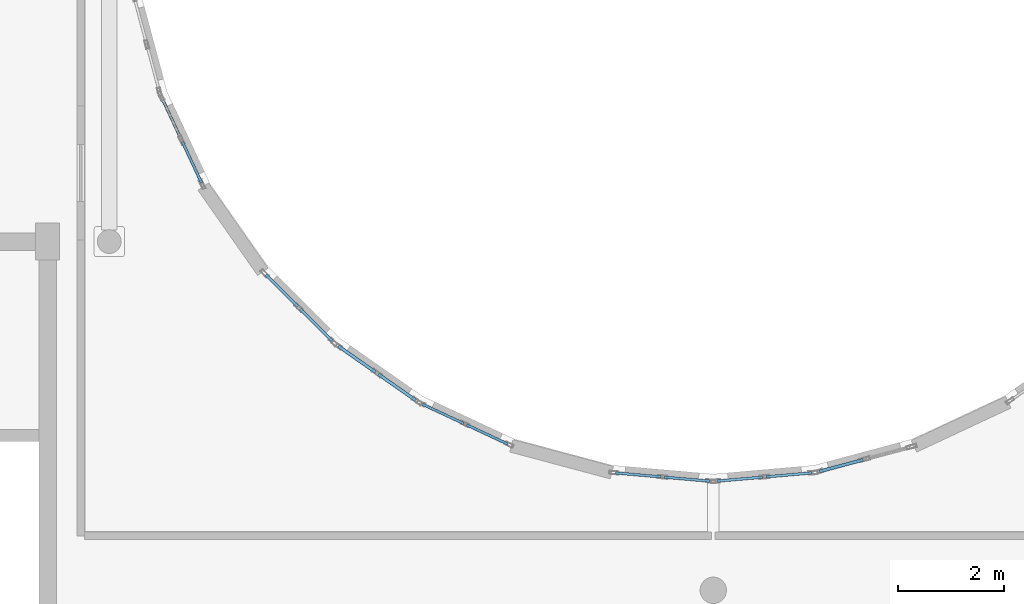
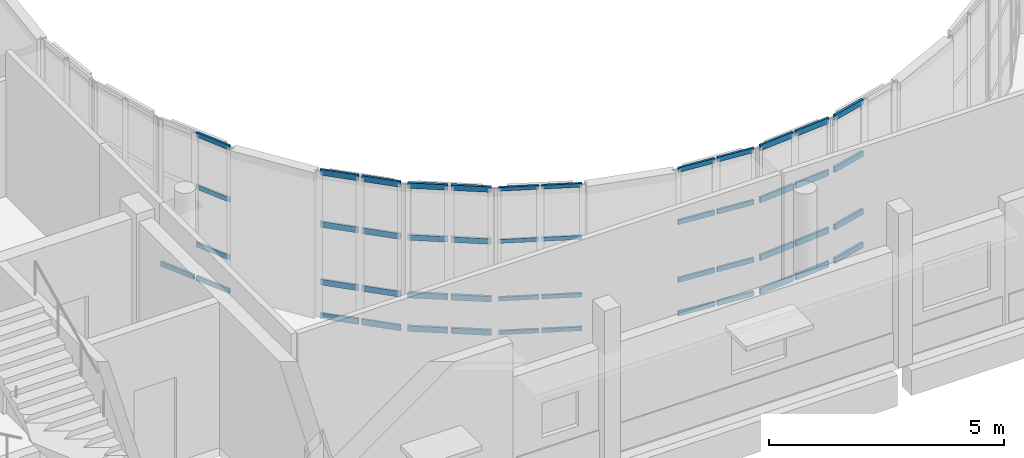
# One storey, part 45 of 92: 49 members, 7 elements without a shape of their own.
"""IFC4 building model written with IfcOpenShell, lengths in metres."""

from ifc_helpers import new_model, si_unit, direction, frame, origin, origin_2d, place, context, subcontext, project, spatial, hollow_rectangle, extrude, material, layer, layer_set, material_profile, profile_set, type_object, element, aggregate, save


model = new_model("IFC4")

# Units and contexts
model_context = context("Model", 3, precision=1e-05, world=origin(), true_north=direction((0.0, 1.0)))
body_context = subcontext(model_context, "Body", "Model", "MODEL_VIEW")
ifc_project = project(units=[si_unit("LENGTHUNIT", "METRE"), si_unit("AREAUNIT", "SQUARE_METRE"), si_unit("VOLUMEUNIT", "CUBIC_METRE"), si_unit("PLANEANGLEUNIT", "RADIAN"), si_unit("MASSUNIT", "GRAM", prefix="KILO")], contexts=[model_context])

# Site, building, storey
site_placement = place(None, origin())
site = spatial("IfcSite", under=ifc_project, at=site_placement, CompositionType="ELEMENT")
building_placement = place(site_placement, origin())
building = spatial("IfcBuilding", under=site, at=building_placement, Name="Kelanivale Promenade Academy", CompositionType="ELEMENT")
storey_placement = place(building_placement, frame((0.0, 0.0, 8.199951171875)))
storey = spatial("IfcBuildingStorey", under=building, at=storey_placement, Name="L02", CompositionType="ELEMENT", Elevation=8.199951171875)

# Curtain wall, members
ifc_material_1 = material(Name="Bronze anodised aluminium and solar-control low-E glass", Category="aluminium")
ifc_layer_1 = layer(ifc_material_1, 0.169921875)
ifc_layer_set_1 = layer_set([ifc_layer_1], Name="Bronze anodised aluminium and solar-control low-E glass")
curtain_wall_type_1 = type_object("IfcCurtainWallType", Name="CW-01 Curtain Wall 1350mm Module", PredefinedType="USERDEFINED", material=ifc_layer_set_1)
curtain_wall_1_placement = place(storey_placement, origin())
curtain_wall_1 = element("IfcCurtainWall", 1, at=curtain_wall_1_placement, inside=storey, type_object=curtain_wall_type_1, Name="L02 courtyard curtain wall CW-01", ObjectType="UNITISED GLAZING", PredefinedType="USERDEFINED")
ifc_material_2 = material(Name="Bronze anodised aluminium EN AW-6063 T6", Category="aluminium")
ifc_material_profile_1 = material_profile(ifc_material_2, hollow_rectangle(XDim=0.050048828125, YDim=0.10009765625, WallThickness=0.0029296875, at=origin_2d()), Name="ALU 50x100x3.0")
ifc_profile_set_1 = profile_set([ifc_material_profile_1], Name="Bronze anodised aluminium EN AW-6063 T6")
member_type_1 = type_object("IfcMemberType", Name="CWT-01 ALU 50x100x3.0", PredefinedType="USERDEFINED", material=ifc_profile_set_1)
member_1_placement = place(storey_placement, frame((57.895263671875, 47.12158203125, 0.025146484375), z_axis=(0.906067258868, -0.423133693303, 0.0), x_axis=(0.423133693303, 0.906067258868, 0.0)))
member_1 = element("IfcMember", 2, at=member_1_placement, type_object=member_type_1, Name="CW-01 transom 1.1", ObjectType="TRANSOM", PredefinedType="USERDEFINED", context=body_context, shape_type="SweptSolid", body=[
    extrude(hollow_rectangle(XDim=0.050048828125, YDim=0.10009765625, WallThickness=0.0029296875, at=origin_2d()), origin(), (0.0, 0.0, 1.0), 0.861328125),
])
member_2_placement = place(storey_placement, frame((57.895263671875, 47.12158203125, 0.900146484375), z_axis=(0.906067258868, -0.423133693303, 0.0), x_axis=(0.423133693303, 0.906067258868, 0.0)))
member_2 = element("IfcMember", 3, at=member_2_placement, type_object=member_type_1, Name="CW-01 transom 1.2", ObjectType="TRANSOM", PredefinedType="USERDEFINED", context=body_context, shape_type="SweptSolid", body=[
    extrude(hollow_rectangle(XDim=0.050048828125, YDim=0.10009765625, WallThickness=0.0029296875, at=origin_2d()), origin(), (0.0, 0.0, 1.0), 0.861328125),
])
member_3_placement = place(storey_placement, frame((57.895263671875, 47.12158203125, 2.400146484375), z_axis=(0.906067258868, -0.423133693303, 0.0), x_axis=(0.423133693303, 0.906067258868, 0.0)))
member_3 = element("IfcMember", 4, at=member_3_placement, type_object=member_type_1, Name="CW-01 transom 1.3", ObjectType="TRANSOM", PredefinedType="USERDEFINED", context=body_context, shape_type="SweptSolid", body=[
    extrude(hollow_rectangle(XDim=0.050048828125, YDim=0.10009765625, WallThickness=0.0029296875, at=origin_2d()), origin(), (0.0, 0.0, 1.0), 0.861328125),
])
member_4_placement = place(storey_placement, frame((57.895263671875, 47.12158203125, 3.755126953125), z_axis=(0.906067258868, -0.423133693303, 0.0), x_axis=(0.423133693303, 0.906067258868, 0.0)))
member_4 = element("IfcMember", 5, at=member_4_placement, type_object=member_type_1, Name="CW-01 transom 1.4", ObjectType="TRANSOM", PredefinedType="USERDEFINED", context=body_context, shape_type="SweptSolid", body=[
    extrude(hollow_rectangle(XDim=0.050048828125, YDim=0.10009765625, WallThickness=0.0029296875, at=origin_2d()), origin(), (0.0, 0.0, 1.0), 0.861328125),
])
member_5_placement = place(storey_placement, frame((58.730224609375, 46.731689453125, 0.025146484375), z_axis=(0.906175898549, -0.422900982369, 0.0), x_axis=(0.422900982369, 0.906175898549, 0.0)))
member_5 = element("IfcMember", 6, at=member_5_placement, type_object=member_type_1, Name="CW-01 transom 2.1", ObjectType="TRANSOM", PredefinedType="USERDEFINED", context=body_context, shape_type="SweptSolid", body=[
    extrude(hollow_rectangle(XDim=0.050048828125, YDim=0.10009765625, WallThickness=0.0029296875, at=origin_2d()), origin(), (0.0, 0.0, 1.0), 0.861328125),
])
member_6_placement = place(storey_placement, frame((58.730224609375, 46.731689453125, 0.900146484375), z_axis=(0.906175898549, -0.422900982369, 0.0), x_axis=(0.422900982369, 0.906175898549, 0.0)))
member_6 = element("IfcMember", 7, at=member_6_placement, type_object=member_type_1, Name="CW-01 transom 2.2", ObjectType="TRANSOM", PredefinedType="USERDEFINED", context=body_context, shape_type="SweptSolid", body=[
    extrude(hollow_rectangle(XDim=0.050048828125, YDim=0.10009765625, WallThickness=0.0029296875, at=origin_2d()), origin(), (0.0, 0.0, 1.0), 0.861328125),
])
member_7_placement = place(storey_placement, frame((58.730224609375, 46.731689453125, 2.400146484375), z_axis=(0.906175898549, -0.422900982369, 0.0), x_axis=(0.422900982369, 0.906175898549, 0.0)))
member_7 = element("IfcMember", 8, at=member_7_placement, type_object=member_type_1, Name="CW-01 transom 2.3", ObjectType="TRANSOM", PredefinedType="USERDEFINED", context=body_context, shape_type="SweptSolid", body=[
    extrude(hollow_rectangle(XDim=0.050048828125, YDim=0.10009765625, WallThickness=0.0029296875, at=origin_2d()), origin(), (0.0, 0.0, 1.0), 0.861328125),
])
member_8_placement = place(storey_placement, frame((58.730224609375, 46.731689453125, 3.755126953125), z_axis=(0.906175898549, -0.422900982369, 0.0), x_axis=(0.422900982369, 0.906175898549, 0.0)))
member_8 = element("IfcMember", 9, at=member_8_placement, type_object=member_type_1, Name="CW-01 transom 2.4", ObjectType="TRANSOM", PredefinedType="USERDEFINED", context=body_context, shape_type="SweptSolid", body=[
    extrude(hollow_rectangle(XDim=0.050048828125, YDim=0.10009765625, WallThickness=0.0029296875, at=origin_2d()), origin(), (0.0, 0.0, 1.0), 0.861328125),
])
aggregate(curtain_wall_1, [member_1, member_2, member_3, member_4, member_5, member_6, member_7, member_8])

ifc_layer_2 = layer(ifc_material_1, 0.169921875)
ifc_layer_set_2 = layer_set([ifc_layer_2], Name="Bronze anodised aluminium and solar-control low-E glass")
curtain_wall_type_2 = type_object("IfcCurtainWallType", Name="CW-22 Curtain Wall 1800mm Module", PredefinedType="USERDEFINED", material=ifc_layer_set_2)
curtain_wall_2_placement = place(storey_placement, origin())
curtain_wall_2 = element("IfcCurtainWall", 10, at=curtain_wall_2_placement, inside=storey, type_object=curtain_wall_type_2, Name="L02 courtyard curtain wall CW-22", ObjectType="COURTYARD SCREEN GLAZING", PredefinedType="USERDEFINED")
ifc_material_profile_2 = material_profile(ifc_material_2, hollow_rectangle(XDim=0.050048828125, YDim=0.1201171875, WallThickness=0.0029296875, at=origin_2d()), Name="ALU 50x120x3.0")
ifc_profile_set_2 = profile_set([ifc_material_profile_2], Name="Bronze anodised aluminium EN AW-6063 T6")
member_type_2 = type_object("IfcMemberType", Name="CWT-02 ALU 50x120x3.0", PredefinedType="USERDEFINED", material=ifc_profile_set_2)
member_9_placement = place(storey_placement, frame((52.96142578125, 52.924560546875, 0.025146484375), z_axis=(0.423242374701, -0.906016496681, 0.0), x_axis=(0.906016496681, 0.423242374701, 0.0)))
member_9 = element("IfcMember", 11, at=member_9_placement, type_object=member_type_2, Name="CW-22 transom 1.1", ObjectType="TRANSOM", PredefinedType="USERDEFINED", context=body_context, shape_type="SweptSolid", body=[
    extrude(hollow_rectangle(XDim=0.050048828125, YDim=0.1201171875, WallThickness=0.0029296875, at=origin_2d()), origin(), (0.0, 0.0, 1.0), 0.861328125),
])
member_10_placement = place(storey_placement, frame((53.35107421875, 52.08984375, 0.025146484375), z_axis=(0.423133693303, -0.906067258868, 0.0), x_axis=(0.906067258868, 0.423133693303, 0.0)))
member_10 = element("IfcMember", 12, at=member_10_placement, type_object=member_type_2, Name="CW-22 transom 2.1", ObjectType="TRANSOM", PredefinedType="USERDEFINED", context=body_context, shape_type="SweptSolid", body=[
    extrude(hollow_rectangle(XDim=0.050048828125, YDim=0.1201171875, WallThickness=0.0029296875, at=origin_2d()), origin(), (0.0, 0.0, 1.0), 0.861328125),
])
member_11_placement = place(storey_placement, frame((53.35107421875, 52.08984375, 0.900146484375), z_axis=(0.423133693303, -0.906067258868, 0.0), x_axis=(0.906067258868, 0.423133693303, 0.0)))
member_11 = element("IfcMember", 13, at=member_11_placement, type_object=member_type_2, Name="CW-22 transom 2.2", ObjectType="TRANSOM", PredefinedType="USERDEFINED", context=body_context, shape_type="SweptSolid", body=[
    extrude(hollow_rectangle(XDim=0.050048828125, YDim=0.1201171875, WallThickness=0.0029296875, at=origin_2d()), origin(), (0.0, 0.0, 1.0), 0.861328125),
])
member_12_placement = place(storey_placement, frame((53.35107421875, 52.08984375, 2.400146484375), z_axis=(0.423133693303, -0.906067258868, 0.0), x_axis=(0.906067258868, 0.423133693303, 0.0)))
member_12 = element("IfcMember", 14, at=member_12_placement, type_object=member_type_2, Name="CW-22 transom 2.3", ObjectType="TRANSOM", PredefinedType="USERDEFINED", context=body_context, shape_type="SweptSolid", body=[
    extrude(hollow_rectangle(XDim=0.050048828125, YDim=0.1201171875, WallThickness=0.0029296875, at=origin_2d()), origin(), (0.0, 0.0, 1.0), 0.861328125),
])
member_13_placement = place(storey_placement, frame((53.35107421875, 52.08984375, 3.755126953125), z_axis=(0.423133693303, -0.906067258868, 0.0), x_axis=(0.906067258868, 0.423133693303, 0.0)))
member_13 = element("IfcMember", 15, at=member_13_placement, type_object=member_type_2, Name="CW-22 transom 2.4", ObjectType="TRANSOM", PredefinedType="USERDEFINED", context=body_context, shape_type="SweptSolid", body=[
    extrude(hollow_rectangle(XDim=0.050048828125, YDim=0.1201171875, WallThickness=0.0029296875, at=origin_2d()), origin(), (0.0, 0.0, 1.0), 0.861328125),
])
aggregate(curtain_wall_2, [member_9, member_10, member_11, member_12, member_13])

ifc_layer_3 = layer(ifc_material_1, 0.179931640625)
ifc_layer_set_3 = layer_set([ifc_layer_3], Name="Bronze anodised aluminium and solar-control low-E glass")
curtain_wall_type_3 = type_object("IfcCurtainWallType", Name="CW-02 Curtain Wall 1500mm Module", PredefinedType="USERDEFINED", material=ifc_layer_set_3)
curtain_wall_3_placement = place(storey_placement, origin())
curtain_wall_3 = element("IfcCurtainWall", 16, at=curtain_wall_3_placement, inside=storey, type_object=curtain_wall_type_3, Name="L02 courtyard curtain wall CW-02", ObjectType="UNITISED GLAZING", PredefinedType="USERDEFINED")
member_14_placement = place(storey_placement, frame((61.552734375, 45.82177734375, 0.025146484375), z_axis=(0.996180782713, -0.087314650278, 0.0), x_axis=(0.087314650278, 0.996180782713, 0.0)))
member_14 = element("IfcMember", 17, at=member_14_placement, type_object=member_type_2, Name="CW-02 transom 1.1", ObjectType="TRANSOM", PredefinedType="USERDEFINED", context=body_context, shape_type="SweptSolid", body=[
    extrude(hollow_rectangle(XDim=0.050048828125, YDim=0.1201171875, WallThickness=0.0029296875, at=origin_2d()), origin(), (0.0, 0.0, 1.0), 0.861083984375),
])
member_15_placement = place(storey_placement, frame((61.552734375, 45.82177734375, 0.900146484375), z_axis=(0.996180782713, -0.087314650278, 0.0), x_axis=(0.087314650278, 0.996180782713, 0.0)))
member_15 = element("IfcMember", 18, at=member_15_placement, type_object=member_type_2, Name="CW-02 transom 1.2", ObjectType="TRANSOM", PredefinedType="USERDEFINED", context=body_context, shape_type="SweptSolid", body=[
    extrude(hollow_rectangle(XDim=0.050048828125, YDim=0.1201171875, WallThickness=0.0029296875, at=origin_2d()), origin(), (0.0, 0.0, 1.0), 0.861083984375),
])
member_16_placement = place(storey_placement, frame((61.552734375, 45.82177734375, 2.400146484375), z_axis=(0.996180782713, -0.087314650278, 0.0), x_axis=(0.087314650278, 0.996180782713, 0.0)))
member_16 = element("IfcMember", 19, at=member_16_placement, type_object=member_type_2, Name="CW-02 transom 1.3", ObjectType="TRANSOM", PredefinedType="USERDEFINED", context=body_context, shape_type="SweptSolid", body=[
    extrude(hollow_rectangle(XDim=0.050048828125, YDim=0.1201171875, WallThickness=0.0029296875, at=origin_2d()), origin(), (0.0, 0.0, 1.0), 0.861083984375),
])
member_17_placement = place(storey_placement, frame((61.552734375, 45.82177734375, 3.755126953125), z_axis=(0.996180782713, -0.087314650278, 0.0), x_axis=(0.087314650278, 0.996180782713, 0.0)))
member_17 = element("IfcMember", 20, at=member_17_placement, type_object=member_type_2, Name="CW-02 transom 1.4", ObjectType="TRANSOM", PredefinedType="USERDEFINED", context=body_context, shape_type="SweptSolid", body=[
    extrude(hollow_rectangle(XDim=0.050048828125, YDim=0.1201171875, WallThickness=0.0029296875, at=origin_2d()), origin(), (0.0, 0.0, 1.0), 0.861083984375),
])
member_18_placement = place(storey_placement, frame((62.470458984375, 45.741455078125, 0.025146484375), z_axis=(0.996178620519, -0.087339315434, 0.0), x_axis=(0.087339315434, 0.996178620519, 0.0)))
member_18 = element("IfcMember", 21, at=member_18_placement, type_object=member_type_2, Name="CW-02 transom 2.1", ObjectType="TRANSOM", PredefinedType="USERDEFINED", context=body_context, shape_type="SweptSolid", body=[
    extrude(hollow_rectangle(XDim=0.050048828125, YDim=0.1201171875, WallThickness=0.0029296875, at=origin_2d()), origin(), (0.0, 0.0, 1.0), 0.86083984375),
])
member_19_placement = place(storey_placement, frame((62.470458984375, 45.741455078125, 0.900146484375), z_axis=(0.996178620519, -0.087339315434, 0.0), x_axis=(0.087339315434, 0.996178620519, 0.0)))
member_19 = element("IfcMember", 22, at=member_19_placement, type_object=member_type_2, Name="CW-02 transom 2.2", ObjectType="TRANSOM", PredefinedType="USERDEFINED", context=body_context, shape_type="SweptSolid", body=[
    extrude(hollow_rectangle(XDim=0.050048828125, YDim=0.1201171875, WallThickness=0.0029296875, at=origin_2d()), origin(), (0.0, 0.0, 1.0), 0.86083984375),
])
member_20_placement = place(storey_placement, frame((62.470458984375, 45.741455078125, 2.400146484375), z_axis=(0.996178620519, -0.087339315434, 0.0), x_axis=(0.087339315434, 0.996178620519, 0.0)))
member_20 = element("IfcMember", 23, at=member_20_placement, type_object=member_type_2, Name="CW-02 transom 2.3", ObjectType="TRANSOM", PredefinedType="USERDEFINED", context=body_context, shape_type="SweptSolid", body=[
    extrude(hollow_rectangle(XDim=0.050048828125, YDim=0.1201171875, WallThickness=0.0029296875, at=origin_2d()), origin(), (0.0, 0.0, 1.0), 0.86083984375),
])
member_21_placement = place(storey_placement, frame((62.470458984375, 45.741455078125, 3.755126953125), z_axis=(0.996178620519, -0.087339315434, 0.0), x_axis=(0.087339315434, 0.996178620519, 0.0)))
member_21 = element("IfcMember", 24, at=member_21_placement, type_object=member_type_2, Name="CW-02 transom 2.4", ObjectType="TRANSOM", PredefinedType="USERDEFINED", context=body_context, shape_type="SweptSolid", body=[
    extrude(hollow_rectangle(XDim=0.050048828125, YDim=0.1201171875, WallThickness=0.0029296875, at=origin_2d()), origin(), (0.0, 0.0, 1.0), 0.86083984375),
])
aggregate(curtain_wall_3, [member_14, member_15, member_16, member_17, member_18, member_19, member_20, member_21])

ifc_layer_4 = layer(ifc_material_1, 0.179931640625)
ifc_layer_set_4 = layer_set([ifc_layer_4], Name="Bronze anodised aluminium and solar-control low-E glass")
curtain_wall_type_4 = type_object("IfcCurtainWallType", Name="CW-23 Curtain Wall 1950mm Module", PredefinedType="USERDEFINED", material=ifc_layer_set_4)
curtain_wall_4_placement = place(storey_placement, origin())
curtain_wall_4 = element("IfcCurtainWall", 25, at=curtain_wall_4_placement, inside=storey, type_object=curtain_wall_type_4, Name="L02 courtyard curtain wall CW-23", ObjectType="COURTYARD SCREEN GLAZING", PredefinedType="USERDEFINED")
ifc_material_profile_3 = material_profile(ifc_material_2, hollow_rectangle(XDim=0.050048828125, YDim=0.14990234375, WallThickness=0.00341796875, at=origin_2d()), Name="ALU 50x150x3.5")
ifc_profile_set_3 = profile_set([ifc_material_profile_3], Name="Bronze anodised aluminium EN AW-6063 T6")
member_type_3 = type_object("IfcMemberType", Name="CWT-03 ALU 50x150x3.5", PredefinedType="USERDEFINED", material=ifc_profile_set_3)
member_22_placement = place(storey_placement, frame((54.931884765625, 49.572998046875, 0.025146484375), z_axis=(0.707106781187, -0.707106781187, 0.0), x_axis=(0.707106781187, 0.707106781187, 0.0)))
member_22 = element("IfcMember", 26, at=member_22_placement, type_object=member_type_3, Name="CW-23 transom 1.1", ObjectType="TRANSOM", PredefinedType="USERDEFINED", context=body_context, shape_type="SweptSolid", body=[
    extrude(hollow_rectangle(XDim=0.050048828125, YDim=0.14990234375, WallThickness=0.00341796875, at=origin_2d()), origin(), (0.0, 0.0, 1.0), 0.852783203125),
])
member_23_placement = place(storey_placement, frame((54.931884765625, 49.572998046875, 0.900146484375), z_axis=(0.707106781187, -0.707106781187, 0.0), x_axis=(0.707106781187, 0.707106781187, 0.0)))
member_23 = element("IfcMember", 27, at=member_23_placement, type_object=member_type_3, Name="CW-23 transom 1.2", ObjectType="TRANSOM", PredefinedType="USERDEFINED", context=body_context, shape_type="SweptSolid", body=[
    extrude(hollow_rectangle(XDim=0.050048828125, YDim=0.14990234375, WallThickness=0.00341796875, at=origin_2d()), origin(), (0.0, 0.0, 1.0), 0.852783203125),
])
member_24_placement = place(storey_placement, frame((54.931884765625, 49.572998046875, 2.400146484375), z_axis=(0.707106781187, -0.707106781187, 0.0), x_axis=(0.707106781187, 0.707106781187, 0.0)))
member_24 = element("IfcMember", 28, at=member_24_placement, type_object=member_type_3, Name="CW-23 transom 1.3", ObjectType="TRANSOM", PredefinedType="USERDEFINED", context=body_context, shape_type="SweptSolid", body=[
    extrude(hollow_rectangle(XDim=0.050048828125, YDim=0.14990234375, WallThickness=0.00341796875, at=origin_2d()), origin(), (0.0, 0.0, 1.0), 0.852783203125),
])
member_25_placement = place(storey_placement, frame((54.931884765625, 49.572998046875, 3.755126953125), z_axis=(0.707106781187, -0.707106781187, 0.0), x_axis=(0.707106781187, 0.707106781187, 0.0)))
member_25 = element("IfcMember", 29, at=member_25_placement, type_object=member_type_3, Name="CW-23 transom 1.4", ObjectType="TRANSOM", PredefinedType="USERDEFINED", context=body_context, shape_type="SweptSolid", body=[
    extrude(hollow_rectangle(XDim=0.050048828125, YDim=0.14990234375, WallThickness=0.00341796875, at=origin_2d()), origin(), (0.0, 0.0, 1.0), 0.852783203125),
])
member_26_placement = place(storey_placement, frame((55.5810546875, 48.924072265625, 0.025146484375), z_axis=(0.707106781187, -0.707106781187, 0.0), x_axis=(0.707106781187, 0.707106781187, 0.0)))
member_26 = element("IfcMember", 30, at=member_26_placement, type_object=member_type_3, Name="CW-23 transom 2.1", ObjectType="TRANSOM", PredefinedType="USERDEFINED", context=body_context, shape_type="SweptSolid", body=[
    extrude(hollow_rectangle(XDim=0.050048828125, YDim=0.14990234375, WallThickness=0.00341796875, at=origin_2d()), origin(), (0.0, 0.0, 1.0), 0.852783203125),
])
member_27_placement = place(storey_placement, frame((55.5810546875, 48.924072265625, 0.900146484375), z_axis=(0.707106781187, -0.707106781187, 0.0), x_axis=(0.707106781187, 0.707106781187, 0.0)))
member_27 = element("IfcMember", 31, at=member_27_placement, type_object=member_type_3, Name="CW-23 transom 2.2", ObjectType="TRANSOM", PredefinedType="USERDEFINED", context=body_context, shape_type="SweptSolid", body=[
    extrude(hollow_rectangle(XDim=0.050048828125, YDim=0.14990234375, WallThickness=0.00341796875, at=origin_2d()), origin(), (0.0, 0.0, 1.0), 0.852783203125),
])
member_28_placement = place(storey_placement, frame((55.5810546875, 48.924072265625, 2.400146484375), z_axis=(0.707106781187, -0.707106781187, 0.0), x_axis=(0.707106781187, 0.707106781187, 0.0)))
member_28 = element("IfcMember", 32, at=member_28_placement, type_object=member_type_3, Name="CW-23 transom 2.3", ObjectType="TRANSOM", PredefinedType="USERDEFINED", context=body_context, shape_type="SweptSolid", body=[
    extrude(hollow_rectangle(XDim=0.050048828125, YDim=0.14990234375, WallThickness=0.00341796875, at=origin_2d()), origin(), (0.0, 0.0, 1.0), 0.852783203125),
])
member_29_placement = place(storey_placement, frame((55.5810546875, 48.924072265625, 3.755126953125), z_axis=(0.707106781187, -0.707106781187, 0.0), x_axis=(0.707106781187, 0.707106781187, 0.0)))
member_29 = element("IfcMember", 33, at=member_29_placement, type_object=member_type_3, Name="CW-23 transom 2.4", ObjectType="TRANSOM", PredefinedType="USERDEFINED", context=body_context, shape_type="SweptSolid", body=[
    extrude(hollow_rectangle(XDim=0.050048828125, YDim=0.14990234375, WallThickness=0.00341796875, at=origin_2d()), origin(), (0.0, 0.0, 1.0), 0.852783203125),
])
aggregate(curtain_wall_4, [member_22, member_23, member_24, member_25, member_26, member_27, member_28, member_29])

ifc_layer_5 = layer(ifc_material_1, 0.159912109375)
ifc_layer_set_5 = layer_set([ifc_layer_5], Name="Bronze anodised aluminium and solar-control low-E glass")
curtain_wall_type_5 = type_object("IfcCurtainWallType", Name="CW-03 Curtain Wall 1650mm Module", PredefinedType="USERDEFINED", material=ifc_layer_set_5)
curtain_wall_5_placement = place(storey_placement, origin())
curtain_wall_5 = element("IfcCurtainWall", 34, at=curtain_wall_5_placement, inside=storey, type_object=curtain_wall_type_5, Name="L02 courtyard curtain wall CW-03", ObjectType="UNITISED GLAZING", PredefinedType="USERDEFINED")
member_30_placement = place(storey_placement, frame((63.476806640625, 45.666748046875, 0.025146484375), z_axis=(0.996205401814, 0.087033311997, 0.0), x_axis=(-0.087033311997, 0.996205401814, 0.0)))
member_30 = element("IfcMember", 35, at=member_30_placement, type_object=member_type_3, Name="CW-03 transom 1.1", ObjectType="TRANSOM", PredefinedType="USERDEFINED", context=body_context, shape_type="SweptSolid", body=[
    extrude(hollow_rectangle(XDim=0.050048828125, YDim=0.14990234375, WallThickness=0.00341796875, at=origin_2d()), origin(), (0.0, 0.0, 1.0), 0.861083984375),
])
member_31_placement = place(storey_placement, frame((63.476806640625, 45.666748046875, 0.900146484375), z_axis=(0.996205401814, 0.087033311997, 0.0), x_axis=(-0.087033311997, 0.996205401814, 0.0)))
member_31 = element("IfcMember", 36, at=member_31_placement, type_object=member_type_3, Name="CW-03 transom 1.2", ObjectType="TRANSOM", PredefinedType="USERDEFINED", context=body_context, shape_type="SweptSolid", body=[
    extrude(hollow_rectangle(XDim=0.050048828125, YDim=0.14990234375, WallThickness=0.00341796875, at=origin_2d()), origin(), (0.0, 0.0, 1.0), 0.861083984375),
])
member_32_placement = place(storey_placement, frame((63.476806640625, 45.666748046875, 2.400146484375), z_axis=(0.996205401814, 0.087033311997, 0.0), x_axis=(-0.087033311997, 0.996205401814, 0.0)))
member_32 = element("IfcMember", 37, at=member_32_placement, type_object=member_type_3, Name="CW-03 transom 1.3", ObjectType="TRANSOM", PredefinedType="USERDEFINED", context=body_context, shape_type="SweptSolid", body=[
    extrude(hollow_rectangle(XDim=0.050048828125, YDim=0.14990234375, WallThickness=0.00341796875, at=origin_2d()), origin(), (0.0, 0.0, 1.0), 0.861083984375),
])
member_33_placement = place(storey_placement, frame((63.476806640625, 45.666748046875, 3.755126953125), z_axis=(0.996205401814, 0.087033311997, 0.0), x_axis=(-0.087033311997, 0.996205401814, 0.0)))
member_33 = element("IfcMember", 38, at=member_33_placement, type_object=member_type_3, Name="CW-03 transom 1.4", ObjectType="TRANSOM", PredefinedType="USERDEFINED", context=body_context, shape_type="SweptSolid", body=[
    extrude(hollow_rectangle(XDim=0.050048828125, YDim=0.14990234375, WallThickness=0.00341796875, at=origin_2d()), origin(), (0.0, 0.0, 1.0), 0.861083984375),
])
member_34_placement = place(storey_placement, frame((64.3994140625, 45.747314453125, 0.025146484375), z_axis=(0.996205401814, 0.087033311997, 0.0), x_axis=(-0.087033311997, 0.996205401814, 0.0)))
member_34 = element("IfcMember", 39, at=member_34_placement, type_object=member_type_3, Name="CW-03 transom 2.1", ObjectType="TRANSOM", PredefinedType="USERDEFINED", context=body_context, shape_type="SweptSolid", body=[
    extrude(hollow_rectangle(XDim=0.050048828125, YDim=0.14990234375, WallThickness=0.00341796875, at=origin_2d()), origin(), (0.0, 0.0, 1.0), 0.861083984375),
])
member_35_placement = place(storey_placement, frame((64.3994140625, 45.747314453125, 0.900146484375), z_axis=(0.996205401814, 0.087033311997, 0.0), x_axis=(-0.087033311997, 0.996205401814, 0.0)))
member_35 = element("IfcMember", 40, at=member_35_placement, type_object=member_type_3, Name="CW-03 transom 2.2", ObjectType="TRANSOM", PredefinedType="USERDEFINED", context=body_context, shape_type="SweptSolid", body=[
    extrude(hollow_rectangle(XDim=0.050048828125, YDim=0.14990234375, WallThickness=0.00341796875, at=origin_2d()), origin(), (0.0, 0.0, 1.0), 0.861083984375),
])
member_36_placement = place(storey_placement, frame((64.3994140625, 45.747314453125, 2.400146484375), z_axis=(0.996205401814, 0.087033311997, 0.0), x_axis=(-0.087033311997, 0.996205401814, 0.0)))
member_36 = element("IfcMember", 41, at=member_36_placement, type_object=member_type_3, Name="CW-03 transom 2.3", ObjectType="TRANSOM", PredefinedType="USERDEFINED", context=body_context, shape_type="SweptSolid", body=[
    extrude(hollow_rectangle(XDim=0.050048828125, YDim=0.14990234375, WallThickness=0.00341796875, at=origin_2d()), origin(), (0.0, 0.0, 1.0), 0.861083984375),
])
member_37_placement = place(storey_placement, frame((64.3994140625, 45.747314453125, 3.755126953125), z_axis=(0.996205401814, 0.087033311997, 0.0), x_axis=(-0.087033311997, 0.996205401814, 0.0)))
member_37 = element("IfcMember", 42, at=member_37_placement, type_object=member_type_3, Name="CW-03 transom 2.4", ObjectType="TRANSOM", PredefinedType="USERDEFINED", context=body_context, shape_type="SweptSolid", body=[
    extrude(hollow_rectangle(XDim=0.050048828125, YDim=0.14990234375, WallThickness=0.00341796875, at=origin_2d()), origin(), (0.0, 0.0, 1.0), 0.861083984375),
])
aggregate(curtain_wall_5, [member_30, member_31, member_32, member_33, member_34, member_35, member_36, member_37])

ifc_layer_6 = layer(ifc_material_1, 0.159912109375)
ifc_layer_set_6 = layer_set([ifc_layer_6], Name="Bronze anodised aluminium and solar-control low-E glass")
curtain_wall_type_6 = type_object("IfcCurtainWallType", Name="CW-24 Curtain Wall 1200mm Module", PredefinedType="USERDEFINED", material=ifc_layer_set_6)
curtain_wall_6_placement = place(storey_placement, origin())
curtain_wall_6 = element("IfcCurtainWall", 43, at=curtain_wall_6_placement, inside=storey, type_object=curtain_wall_type_6, Name="L02 courtyard curtain wall CW-24", ObjectType="COURTYARD SCREEN GLAZING", PredefinedType="USERDEFINED")
ifc_material_profile_4 = material_profile(ifc_material_2, hollow_rectangle(XDim=0.06005859375, YDim=0.139892578125, WallThickness=0.00341796875, at=origin_2d()), Name="ALU 60x140x3.5")
ifc_profile_set_4 = profile_set([ifc_material_profile_4], Name="Bronze anodised aluminium EN AW-6063 T6")
member_type_4 = type_object("IfcMemberType", Name="CWT-04 ALU 60x140x3.5", PredefinedType="USERDEFINED", material=ifc_profile_set_4)
member_38_placement = place(storey_placement, frame((56.30224609375, 48.2216796875, 0.030029296875), z_axis=(0.81909874567, -0.573652547141, 0.0), x_axis=(0.573652547141, 0.81909874567, 0.0)))
member_38 = element("IfcMember", 44, at=member_38_placement, type_object=member_type_4, Name="CW-24 transom 1.1", ObjectType="TRANSOM", PredefinedType="USERDEFINED", context=body_context, shape_type="SweptSolid", body=[
    extrude(hollow_rectangle(XDim=0.06005859375, YDim=0.139892578125, WallThickness=0.00341796875, at=origin_2d()), origin(), (0.0, 0.0, 1.0), 0.861328125),
])
member_39_placement = place(storey_placement, frame((56.30224609375, 48.2216796875, 0.900146484375), z_axis=(0.81909874567, -0.573652547141, 0.0), x_axis=(0.573652547141, 0.81909874567, 0.0)))
member_39 = element("IfcMember", 45, at=member_39_placement, type_object=member_type_4, Name="CW-24 transom 1.2", ObjectType="TRANSOM", PredefinedType="USERDEFINED", context=body_context, shape_type="SweptSolid", body=[
    extrude(hollow_rectangle(XDim=0.06005859375, YDim=0.139892578125, WallThickness=0.00341796875, at=origin_2d()), origin(), (0.0, 0.0, 1.0), 0.861328125),
])
member_40_placement = place(storey_placement, frame((56.30224609375, 48.2216796875, 2.400146484375), z_axis=(0.81909874567, -0.573652547141, 0.0), x_axis=(0.573652547141, 0.81909874567, 0.0)))
member_40 = element("IfcMember", 46, at=member_40_placement, type_object=member_type_4, Name="CW-24 transom 1.3", ObjectType="TRANSOM", PredefinedType="USERDEFINED", context=body_context, shape_type="SweptSolid", body=[
    extrude(hollow_rectangle(XDim=0.06005859375, YDim=0.139892578125, WallThickness=0.00341796875, at=origin_2d()), origin(), (0.0, 0.0, 1.0), 0.861328125),
])
member_41_placement = place(storey_placement, frame((56.30224609375, 48.2216796875, 3.75), z_axis=(0.81909874567, -0.573652547141, 0.0), x_axis=(0.573652547141, 0.81909874567, 0.0)))
member_41 = element("IfcMember", 47, at=member_41_placement, type_object=member_type_4, Name="CW-24 transom 1.4", ObjectType="TRANSOM", PredefinedType="USERDEFINED", context=body_context, shape_type="SweptSolid", body=[
    extrude(hollow_rectangle(XDim=0.06005859375, YDim=0.139892578125, WallThickness=0.00341796875, at=origin_2d()), origin(), (0.0, 0.0, 1.0), 0.861328125),
])
member_42_placement = place(storey_placement, frame((57.06103515625, 47.6904296875, 0.030029296875), z_axis=(0.819191981975, -0.573519395198, 0.0), x_axis=(0.573519395198, 0.819191981975, 0.0)))
member_42 = element("IfcMember", 48, at=member_42_placement, type_object=member_type_4, Name="CW-24 transom 2.1", ObjectType="TRANSOM", PredefinedType="USERDEFINED", context=body_context, shape_type="SweptSolid", body=[
    extrude(hollow_rectangle(XDim=0.06005859375, YDim=0.139892578125, WallThickness=0.00341796875, at=origin_2d()), origin(), (0.0, 0.0, 1.0), 0.861572265625),
])
member_43_placement = place(storey_placement, frame((57.06103515625, 47.6904296875, 0.900146484375), z_axis=(0.819191981975, -0.573519395198, 0.0), x_axis=(0.573519395198, 0.819191981975, 0.0)))
member_43 = element("IfcMember", 49, at=member_43_placement, type_object=member_type_4, Name="CW-24 transom 2.2", ObjectType="TRANSOM", PredefinedType="USERDEFINED", context=body_context, shape_type="SweptSolid", body=[
    extrude(hollow_rectangle(XDim=0.06005859375, YDim=0.139892578125, WallThickness=0.00341796875, at=origin_2d()), origin(), (0.0, 0.0, 1.0), 0.861572265625),
])
member_44_placement = place(storey_placement, frame((57.06103515625, 47.6904296875, 2.400146484375), z_axis=(0.819191981975, -0.573519395198, 0.0), x_axis=(0.573519395198, 0.819191981975, 0.0)))
member_44 = element("IfcMember", 50, at=member_44_placement, type_object=member_type_4, Name="CW-24 transom 2.3", ObjectType="TRANSOM", PredefinedType="USERDEFINED", context=body_context, shape_type="SweptSolid", body=[
    extrude(hollow_rectangle(XDim=0.06005859375, YDim=0.139892578125, WallThickness=0.00341796875, at=origin_2d()), origin(), (0.0, 0.0, 1.0), 0.861572265625),
])
member_45_placement = place(storey_placement, frame((57.06103515625, 47.6904296875, 3.75), z_axis=(0.819191981975, -0.573519395198, 0.0), x_axis=(0.573519395198, 0.819191981975, 0.0)))
member_45 = element("IfcMember", 51, at=member_45_placement, type_object=member_type_4, Name="CW-24 transom 2.4", ObjectType="TRANSOM", PredefinedType="USERDEFINED", context=body_context, shape_type="SweptSolid", body=[
    extrude(hollow_rectangle(XDim=0.06005859375, YDim=0.139892578125, WallThickness=0.00341796875, at=origin_2d()), origin(), (0.0, 0.0, 1.0), 0.861572265625),
])
aggregate(curtain_wall_6, [member_38, member_39, member_40, member_41, member_42, member_43, member_44, member_45])

ifc_layer_7 = layer(ifc_material_1, 0.169921875)
ifc_layer_set_7 = layer_set([ifc_layer_7], Name="Bronze anodised aluminium and solar-control low-E glass")
curtain_wall_type_7 = type_object("IfcCurtainWallType", Name="CW-04 Curtain Wall 1800mm Module", PredefinedType="USERDEFINED", material=ifc_layer_set_7)
curtain_wall_7_placement = place(storey_placement, origin())
curtain_wall_7 = element("IfcCurtainWall", 52, at=curtain_wall_7_placement, inside=storey, type_object=curtain_wall_type_7, Name="L02 courtyard curtain wall CW-04", ObjectType="UNITISED GLAZING", PredefinedType="USERDEFINED")
member_46_placement = place(storey_placement, frame((65.40869140625, 45.848876953125, 0.030029296875), z_axis=(0.966025838893, 0.258445504102, 0.0), x_axis=(-0.258445504102, 0.966025838893, 0.0)))
member_46 = element("IfcMember", 53, at=member_46_placement, type_object=member_type_4, Name="CW-04 transom 1.1", ObjectType="TRANSOM", PredefinedType="USERDEFINED", context=body_context, shape_type="SweptSolid", body=[
    extrude(hollow_rectangle(XDim=0.06005859375, YDim=0.139892578125, WallThickness=0.00341796875, at=origin_2d()), origin(), (0.0, 0.0, 1.0), 0.85400390625),
])
member_47_placement = place(storey_placement, frame((65.40869140625, 45.848876953125, 0.900146484375), z_axis=(0.966025838893, 0.258445504102, 0.0), x_axis=(-0.258445504102, 0.966025838893, 0.0)))
member_47 = element("IfcMember", 54, at=member_47_placement, type_object=member_type_4, Name="CW-04 transom 1.2", ObjectType="TRANSOM", PredefinedType="USERDEFINED", context=body_context, shape_type="SweptSolid", body=[
    extrude(hollow_rectangle(XDim=0.06005859375, YDim=0.139892578125, WallThickness=0.00341796875, at=origin_2d()), origin(), (0.0, 0.0, 1.0), 0.85400390625),
])
member_48_placement = place(storey_placement, frame((65.40869140625, 45.848876953125, 2.400146484375), z_axis=(0.966025838893, 0.258445504102, 0.0), x_axis=(-0.258445504102, 0.966025838893, 0.0)))
member_48 = element("IfcMember", 55, at=member_48_placement, type_object=member_type_4, Name="CW-04 transom 1.3", ObjectType="TRANSOM", PredefinedType="USERDEFINED", context=body_context, shape_type="SweptSolid", body=[
    extrude(hollow_rectangle(XDim=0.06005859375, YDim=0.139892578125, WallThickness=0.00341796875, at=origin_2d()), origin(), (0.0, 0.0, 1.0), 0.85400390625),
])
member_49_placement = place(storey_placement, frame((65.40869140625, 45.848876953125, 3.75), z_axis=(0.966025838893, 0.258445504102, 0.0), x_axis=(-0.258445504102, 0.966025838893, 0.0)))
member_49 = element("IfcMember", 56, at=member_49_placement, type_object=member_type_4, Name="CW-04 transom 1.4", ObjectType="TRANSOM", PredefinedType="USERDEFINED", context=body_context, shape_type="SweptSolid", body=[
    extrude(hollow_rectangle(XDim=0.06005859375, YDim=0.139892578125, WallThickness=0.00341796875, at=origin_2d()), origin(), (0.0, 0.0, 1.0), 0.85400390625),
])
aggregate(curtain_wall_7, [member_46, member_47, member_48, member_49])

save(model, "model.ifc")
